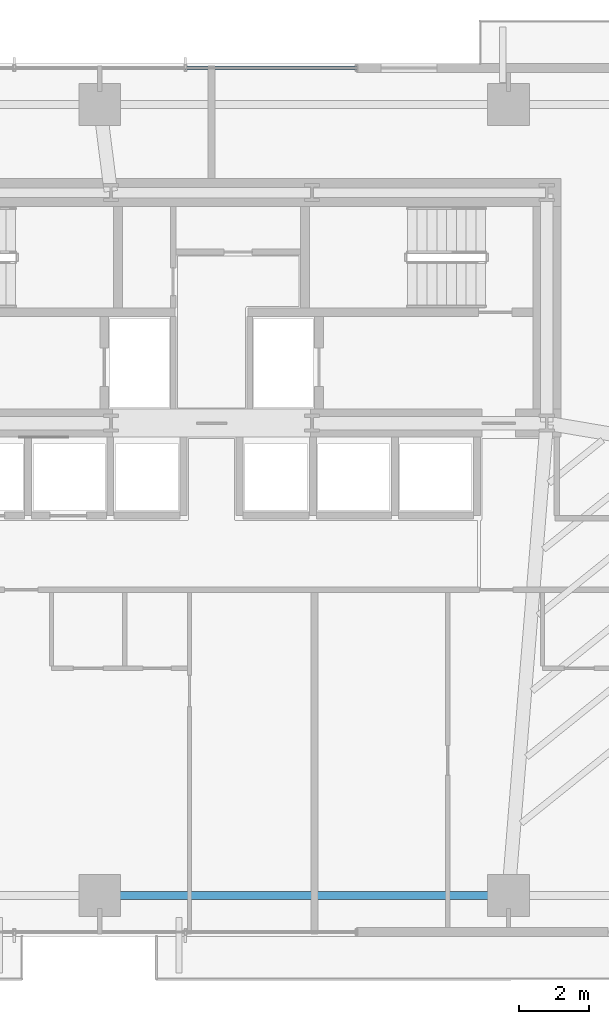
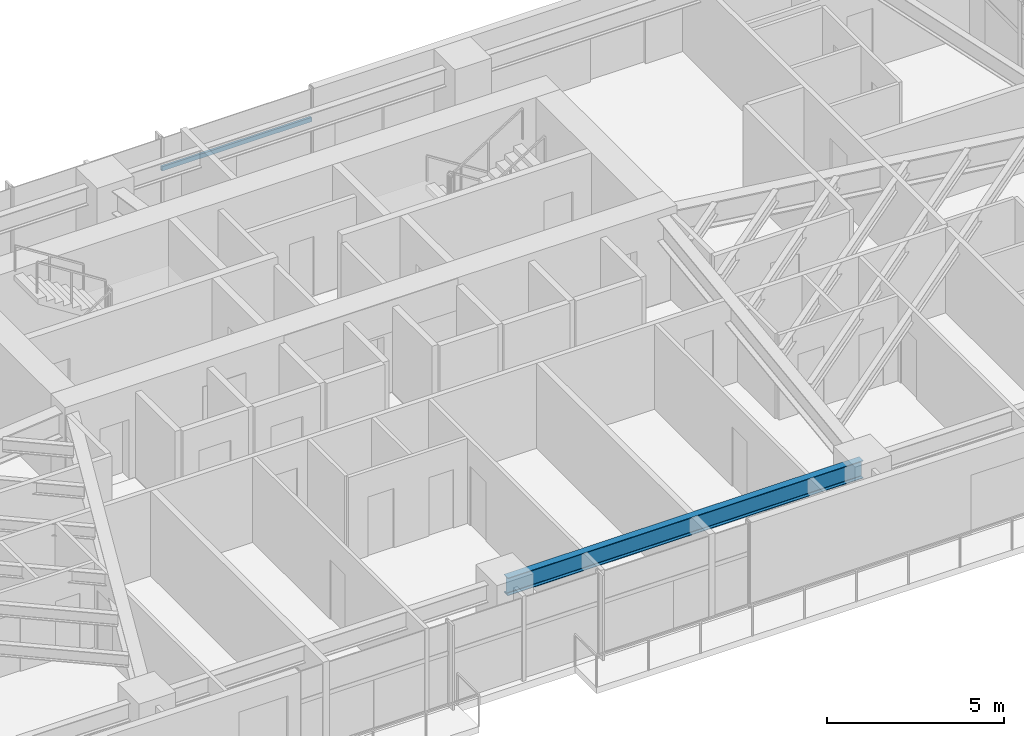
# One storey, part 11 of 25: 1 beam, 1 member, 1 element without a shape of its own.
"""IFC4 building model written with IfcOpenShell, lengths in metres."""

from ifc_helpers import new_model, si_unit, direction, frame, origin, origin_2d, place, context, subcontext, project, spatial, hollow_rectangle, i_section, extrude, source, transform, mapped, material, material_profile, profile_set, type_object, type_shapes, element, aggregate, save


model = new_model("IFC4")

# Units and contexts
model_context = context("Model", 3, precision=1e-05, world=origin(), true_north=direction((0.0, 1.0)))
body_context = subcontext(model_context, "Body", "Model", "MODEL_VIEW")
ifc_project = project(units=[si_unit("LENGTHUNIT", "METRE"), si_unit("AREAUNIT", "SQUARE_METRE"), si_unit("VOLUMEUNIT", "CUBIC_METRE"), si_unit("PLANEANGLEUNIT", "RADIAN"), si_unit("MASSUNIT", "GRAM", prefix="KILO")], contexts=[model_context])

# Site, building, storey
site_placement = place(None, origin())
site = spatial("IfcSite", under=ifc_project, at=site_placement, CompositionType="ELEMENT")
building_placement = place(site_placement, origin())
building = spatial("IfcBuilding", under=site, at=building_placement, Name="Astriad Promenade Condominiums", CompositionType="ELEMENT")
storey_placement = place(building_placement, frame((0.0, 0.0, 48.60009765625)))
storey = spatial("IfcBuildingStorey", under=building, at=storey_placement, Name="L13", CompositionType="ELEMENT", Elevation=48.60009765625)

# Beam
ifc_material_1 = material(Name="Steel ASTM A992 Grade 50", Category="steel")
ifc_material_profile_1 = material_profile(ifc_material_1, i_section(OverallWidth=0.22900390625, OverallDepth=0.612060546875, WebThickness=0.011962890625, FlangeThickness=0.01953125, FilletRadius=0.017822265625, at=origin_2d()), Name="W24X84")
ifc_profile_set_1 = profile_set([ifc_material_profile_1], Name="Steel ASTM A992 Grade 50")
beam_type = type_object("IfcBeamType", Name="STEEL SPANDREL BEAM W24X84", PredefinedType="SPANDREL", material=ifc_profile_set_1)
shared_shape_1 = source(origin(), body_context, "Body", "SweptSolid", [
    extrude(i_section(OverallWidth=0.22900390625, OverallDepth=0.612060546875, WebThickness=0.011962890625, FlangeThickness=0.01953125, FilletRadius=0.017822265625, at=origin_2d()), origin(), (0.0, 0.0, 1.0), 11.619873046875),
])
type_shapes(beam_type, [shared_shape_1])
beam_placement = place(storey_placement, frame((32.840087890625, 3.8798828125, 2.6337890625), z_axis=(1.0, 0.0, 0.0), x_axis=(0.0, 1.0, 0.0)))
element("IfcBeam", 1, at=beam_placement, inside=storey, type_object=beam_type, Name="Perimeter Spandrel Beam SP-S3-L13", PredefinedType="SPANDREL", context=body_context, shape_type="MappedRepresentation", body=[
    mapped(shared_shape_1, transform((0.0, 0.0, 0.0), scale=1.0)),
])

# Curtain wall, member
ifc_material_2 = material(Name="Anodised aluminium Black Dark Glass Unitised", Category="aluminium")
curtain_wall_type = type_object("IfcCurtainWallType", Name="CW-B1-DARK", PredefinedType="USERDEFINED", material=ifc_material_2)
curtain_wall_placement = place(storey_placement, origin())
curtain_wall = element("IfcCurtainWall", 2, at=curtain_wall_placement, inside=storey, type_object=curtain_wall_type, Name="CW-L13-N", ObjectType="UNITISED_CURTAIN_WALL", PredefinedType="USERDEFINED")
ifc_material_3 = material(Name="Anodised aluminium 6063-T6 Black", Category="aluminium")
ifc_material_profile_2 = material_profile(ifc_material_3, hollow_rectangle(XDim=0.074951171875, YDim=0.14990234375, WallThickness=0.004150390625, at=origin_2d()), Name="ALU-TRN-75X150")
ifc_profile_set_2 = profile_set([ifc_material_profile_2], Name="Anodised aluminium 6063-T6 Black")
member_type = type_object("IfcMemberType", Name="TRN-ALU-TRN-75X150", PredefinedType="USERDEFINED", material=ifc_profile_set_2)
shared_shape_2 = source(origin(), body_context, "Body", "SweptSolid", [
    extrude(hollow_rectangle(XDim=0.074951171875, YDim=0.14990234375, WallThickness=0.004150390625, at=origin_2d()), origin(), (0.0, 0.0, 1.0), 4.89990234375),
])
type_shapes(member_type, [shared_shape_2])
member_placement = place(storey_placement, frame((35.25, 27.570068359375, 1.82275390625), z_axis=(1.0, 0.0, 0.0), x_axis=(0.0, 1.0, 0.0)))
member = element("IfcMember", 3, at=member_placement, type_object=member_type, Name="CW-L13-N-TRN-02-0", ObjectType="TRANSOM", PredefinedType="USERDEFINED", context=body_context, shape_type="MappedRepresentation", body=[
    mapped(shared_shape_2, transform((0.0, 0.0, 0.0), scale=1.0)),
])
aggregate(curtain_wall, [member])

save(model, "model.ifc")
